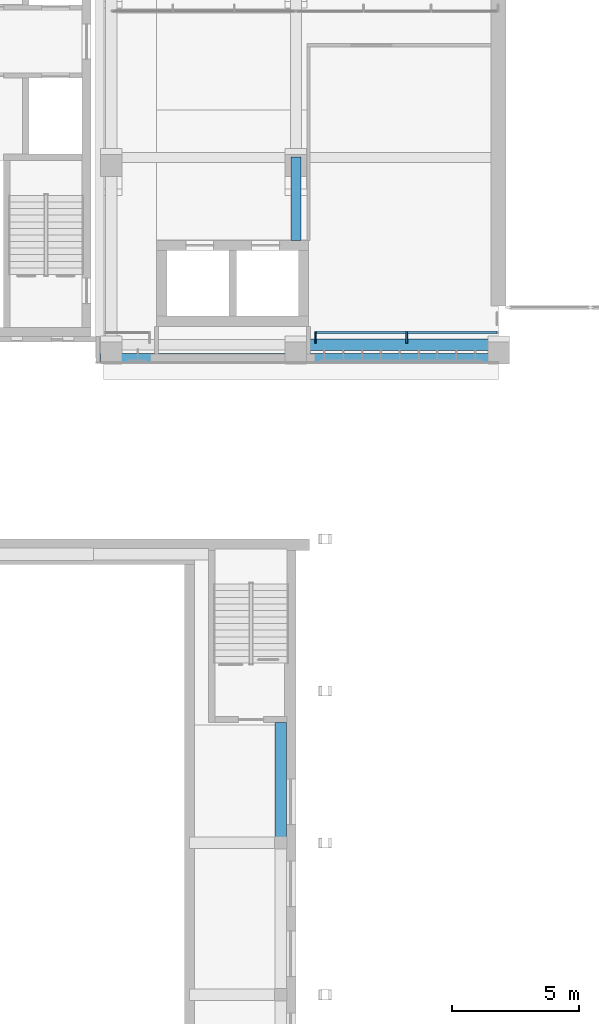
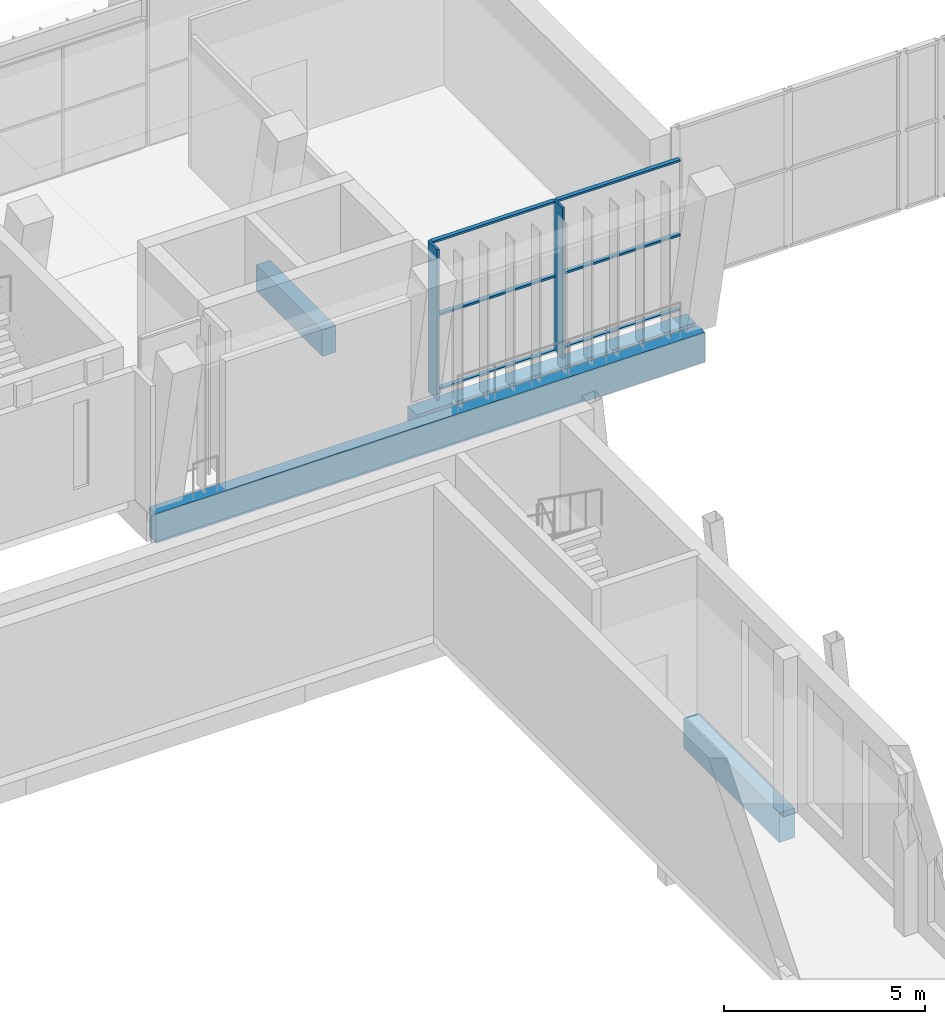
# One storey, part 9 of 92: 8 members, 4 beams, 1 element without a shape of its own.
"""IFC4 building model written with IfcOpenShell, lengths in metres."""

from ifc_helpers import new_model, si_unit, direction, frame, origin, origin_2d, place, context, subcontext, project, spatial, rectangle, extrude, material, material_profile, profile_set, type_object, element, aggregate, save


model = new_model("IFC4")

# Units and contexts
model_context = context("Model", 3, precision=1e-05, world=origin(), true_north=direction((0.0, 1.0)))
body_context = subcontext(model_context, "Body", "Model", "MODEL_VIEW")
ifc_project = project(units=[si_unit("LENGTHUNIT", "METRE"), si_unit("AREAUNIT", "SQUARE_METRE"), si_unit("VOLUMEUNIT", "CUBIC_METRE"), si_unit("PLANEANGLEUNIT", "RADIAN"), si_unit("MASSUNIT", "GRAM", prefix="KILO")], contexts=[model_context])

# Site, building, storey
site_placement = place(None, origin())
site = spatial("IfcSite", under=ifc_project, at=site_placement, CompositionType="ELEMENT")
building_placement = place(site_placement, origin())
building = spatial("IfcBuilding", under=site, at=building_placement, Name="Lantern Court Media Centre", CompositionType="ELEMENT")
storey_placement = place(building_placement, frame((0.0, 0.0, 4.800048828125)))
storey = spatial("IfcBuildingStorey", under=building, at=storey_placement, Name="L01", CompositionType="ELEMENT", Elevation=4.800048828125)

# Curtain wall, members
ifc_material_1 = material(Name="Curtain wall bay 3000")
curtain_wall_type = type_object("IfcCurtainWallType", Name="Curtain wall bay 3000", PredefinedType="NOTDEFINED", material=ifc_material_1)
curtain_wall_placement = place(storey_placement, origin())
curtain_wall = element("IfcCurtainWall", 1, at=curtain_wall_placement, inside=storey, type_object=curtain_wall_type, Name="Curtain wall S outer L01", PredefinedType="NOTDEFINED")
ifc_material_2 = material(Name="Anodised aluminium", Category="aluminium")
ifc_material_profile_1 = material_profile(ifc_material_2, rectangle(XDim=0.449951171875, YDim=0.06005859375, at=origin_2d()), Name="AL 60x450")
ifc_profile_set_1 = profile_set([ifc_material_profile_1], Name="Anodised aluminium")
member_type_1 = type_object("IfcMemberType", Name="Curtain wall mullion 60x450", PredefinedType="MULLION", material=ifc_profile_set_1)
member_1_placement = place(storey_placement, frame((32.780029296875, 47.955078125, 0.0), z_axis=(0.0, 0.0, 1.0), x_axis=(0.0, 1.0, 0.0)))
member_1 = element("IfcMember", 2, at=member_1_placement, type_object=member_type_1, Name="CW1 mullion 1", PredefinedType="MULLION", context=body_context, shape_type="SweptSolid", body=[
    extrude(rectangle(XDim=0.449951171875, YDim=0.06005859375, at=origin_2d()), origin(), (0.0, 0.0, 1.0), 4.579833984375),
])
member_2_placement = place(storey_placement, frame((36.375, 47.955078125, 0.0), z_axis=(0.0, 0.0, 1.0), x_axis=(0.0, 1.0, 0.0)))
member_2 = element("IfcMember", 3, at=member_2_placement, type_object=member_type_1, Name="CW1 mullion 2", PredefinedType="MULLION", context=body_context, shape_type="SweptSolid", body=[
    extrude(rectangle(XDim=0.449951171875, YDim=0.06005859375, at=origin_2d()), origin(), (0.0, 0.0, 1.0), 4.579833984375),
])
ifc_material_profile_2 = material_profile(ifc_material_2, rectangle(XDim=0.1201171875, YDim=0.06005859375, at=origin_2d()), Name="AL 60x120")
ifc_profile_set_2 = profile_set([ifc_material_profile_2], Name="Anodised aluminium")
member_type_2 = type_object("IfcMemberType", Name="Curtain wall transom 60x120", PredefinedType="USERDEFINED", material=ifc_profile_set_2)
member_3_placement = place(storey_placement, frame((32.81005859375, 48.14990234375, 0.030029296875), z_axis=(1.0, 0.0, 0.0), x_axis=(0.0, 1.0, 0.0)))
member_3 = element("IfcMember", 4, at=member_3_placement, type_object=member_type_2, Name="CW1 transom 1.1", ObjectType="TRANSOM", PredefinedType="USERDEFINED", context=body_context, shape_type="SweptSolid", body=[
    extrude(rectangle(XDim=0.1201171875, YDim=0.06005859375, at=origin_2d()), origin(), (0.0, 0.0, 1.0), 3.534912109375),
])
member_4_placement = place(storey_placement, frame((32.81005859375, 48.14990234375, 2.2900390625), z_axis=(1.0, 0.0, 0.0), x_axis=(0.0, 1.0, 0.0)))
member_4 = element("IfcMember", 5, at=member_4_placement, type_object=member_type_2, Name="CW1 transom 1.2", ObjectType="TRANSOM", PredefinedType="USERDEFINED", context=body_context, shape_type="SweptSolid", body=[
    extrude(rectangle(XDim=0.1201171875, YDim=0.06005859375, at=origin_2d()), origin(), (0.0, 0.0, 1.0), 3.534912109375),
])
member_5_placement = place(storey_placement, frame((32.81005859375, 48.14990234375, 4.550048828125), z_axis=(1.0, 0.0, 0.0), x_axis=(0.0, 1.0, 0.0)))
member_5 = element("IfcMember", 6, at=member_5_placement, type_object=member_type_2, Name="CW1 transom 1.3", ObjectType="TRANSOM", PredefinedType="USERDEFINED", context=body_context, shape_type="SweptSolid", body=[
    extrude(rectangle(XDim=0.1201171875, YDim=0.06005859375, at=origin_2d()), origin(), (0.0, 0.0, 1.0), 3.534912109375),
])
member_6_placement = place(storey_placement, frame((36.405029296875, 48.14990234375, 0.030029296875), z_axis=(1.0, 0.0, 0.0), x_axis=(0.0, 1.0, 0.0)))
member_6 = element("IfcMember", 7, at=member_6_placement, type_object=member_type_2, Name="CW1 transom 2.1", ObjectType="TRANSOM", PredefinedType="USERDEFINED", context=body_context, shape_type="SweptSolid", body=[
    extrude(rectangle(XDim=0.1201171875, YDim=0.06005859375, at=origin_2d()), origin(), (0.0, 0.0, 1.0), 3.534912109375),
])
member_7_placement = place(storey_placement, frame((36.405029296875, 48.14990234375, 2.2900390625), z_axis=(1.0, 0.0, 0.0), x_axis=(0.0, 1.0, 0.0)))
member_7 = element("IfcMember", 8, at=member_7_placement, type_object=member_type_2, Name="CW1 transom 2.2", ObjectType="TRANSOM", PredefinedType="USERDEFINED", context=body_context, shape_type="SweptSolid", body=[
    extrude(rectangle(XDim=0.1201171875, YDim=0.06005859375, at=origin_2d()), origin(), (0.0, 0.0, 1.0), 3.534912109375),
])
member_8_placement = place(storey_placement, frame((36.405029296875, 48.14990234375, 4.550048828125), z_axis=(1.0, 0.0, 0.0), x_axis=(0.0, 1.0, 0.0)))
member_8 = element("IfcMember", 9, at=member_8_placement, type_object=member_type_2, Name="CW1 transom 2.3", ObjectType="TRANSOM", PredefinedType="USERDEFINED", context=body_context, shape_type="SweptSolid", body=[
    extrude(rectangle(XDim=0.1201171875, YDim=0.06005859375, at=origin_2d()), origin(), (0.0, 0.0, 1.0), 3.534912109375),
])
aggregate(curtain_wall, [member_1, member_2, member_3, member_4, member_5, member_6, member_7, member_8])

# Beams
ifc_material_3 = material(Name="Concrete C35", Category="concrete")
ifc_material_profile_3 = material_profile(ifc_material_3, rectangle(XDim=0.35009765625, YDim=0.89990234375, at=origin_2d()), Name="RC 350x900")
ifc_profile_set_3 = profile_set([ifc_material_profile_3], Name="Concrete C35")
beam_type_1 = type_object("IfcBeamType", Name="RC BEAM 350x900", PredefinedType="BEAM", material=ifc_profile_set_3)
beam_1_placement = place(storey_placement, frame((24.25, 47.14990234375, -0.449951171875), z_axis=(1.0, 0.0, 0.0), x_axis=(0.0, 1.0, 0.0)))
element("IfcBeam", 10, at=beam_1_placement, inside=storey, type_object=beam_type_1, Name="EB-S-L01-A", PredefinedType="BEAM", context=body_context, shape_type="SweptSolid", body=[
    extrude(rectangle(XDim=0.35009765625, YDim=0.89990234375, at=origin_2d()), origin(), (0.0, 0.0, 1.0), 15.75),
])
ifc_material_profile_4 = material_profile(ifc_material_3, rectangle(XDim=0.39990234375, YDim=0.800048828125, at=origin_2d()), Name="RC 400x800")
ifc_profile_set_4 = profile_set([ifc_material_profile_4], Name="Concrete C35")
beam_type_2 = type_object("IfcBeamType", Name="RC BEAM 400x800", PredefinedType="BEAM", material=ifc_profile_set_4)
beam_2_placement = place(storey_placement, frame((32.0, 51.800048828125, -0.400146484375), z_axis=(0.0, 1.0, 0.0), x_axis=(-1.0, 0.0, 0.0)))
element("IfcBeam", 11, at=beam_2_placement, inside=storey, type_object=beam_type_2, Name="TB-S-L01-1-1", PredefinedType="BEAM", context=body_context, shape_type="SweptSolid", body=[
    extrude(rectangle(XDim=0.39990234375, YDim=0.800048828125, at=origin_2d()), origin(), (0.0, 0.0, 1.0), 3.283203125),
])
ifc_material_profile_5 = material_profile(ifc_material_3, rectangle(XDim=0.449951171875, YDim=0.699951171875, at=origin_2d()), Name="RC 450x700")
ifc_profile_set_5 = profile_set([ifc_material_profile_5], Name="Concrete C35")
beam_type_3 = type_object("IfcBeamType", Name="RC BEAM 450x700", PredefinedType="BEAM", material=ifc_profile_set_5)
beam_3_placement = place(storey_placement, frame((32.0, 47.6728515625, -0.35009765625), z_axis=(1.0, 0.0, 0.0), x_axis=(0.0, 1.0, 0.0)))
element("IfcBeam", 12, at=beam_3_placement, inside=storey, type_object=beam_type_3, Name="LB-S-L01-0-1", PredefinedType="BEAM", context=body_context, shape_type="SweptSolid", body=[
    extrude(rectangle(XDim=0.449951171875, YDim=0.699951171875, at=origin_2d()), origin(), (0.0, 0.0, 1.0), 8.0),
])
ifc_material_profile_6 = material_profile(ifc_material_3, rectangle(XDim=0.449951171875, YDim=0.89990234375, at=origin_2d()), Name="RC 450x900")
ifc_profile_set_6 = profile_set([ifc_material_profile_6], Name="Concrete C35")
beam_type_4 = type_object("IfcBeamType", Name="RC BEAM 450x900", PredefinedType="BEAM", material=ifc_profile_set_6)
beam_4_placement = place(storey_placement, frame((31.39990234375, 28.0, -0.449951171875), z_axis=(0.0, 1.0, 0.0), x_axis=(-1.0, 0.0, 0.0)))
element("IfcBeam", 13, at=beam_4_placement, inside=storey, type_object=beam_type_4, Name="HB-V1-L01-FY4-5", PredefinedType="BEAM", context=body_context, shape_type="SweptSolid", body=[
    extrude(rectangle(XDim=0.449951171875, YDim=0.89990234375, at=origin_2d()), origin(), (0.0, 0.0, 1.0), 4.75),
])

save(model, "model.ifc")
